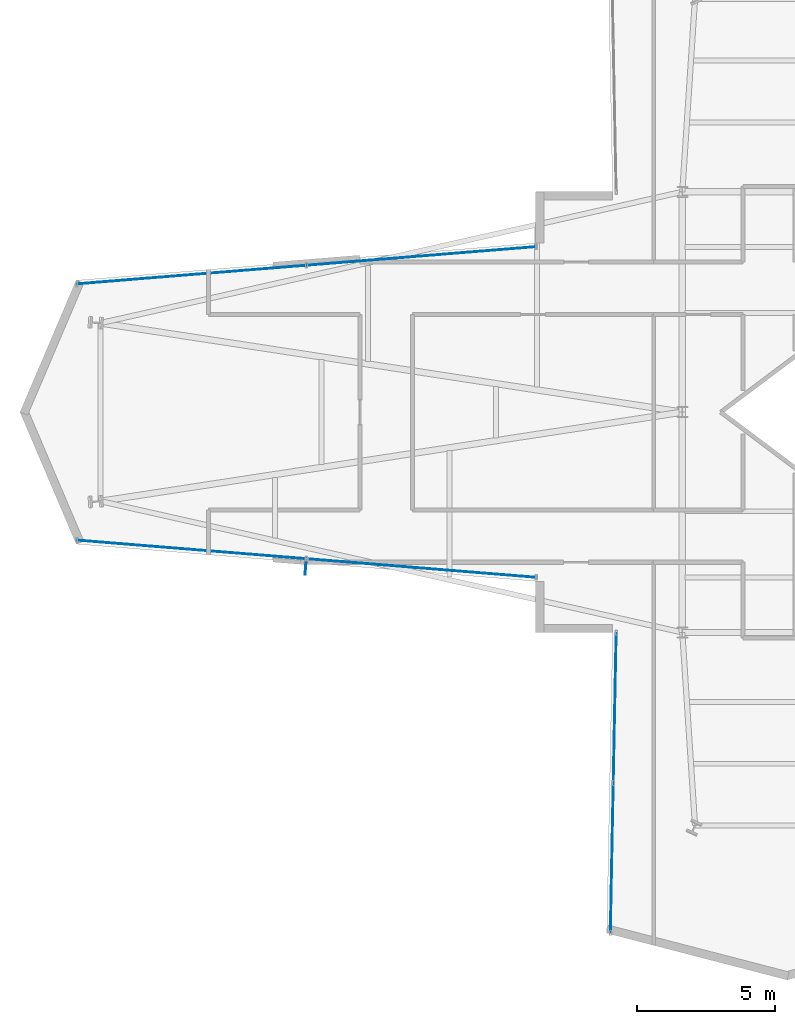
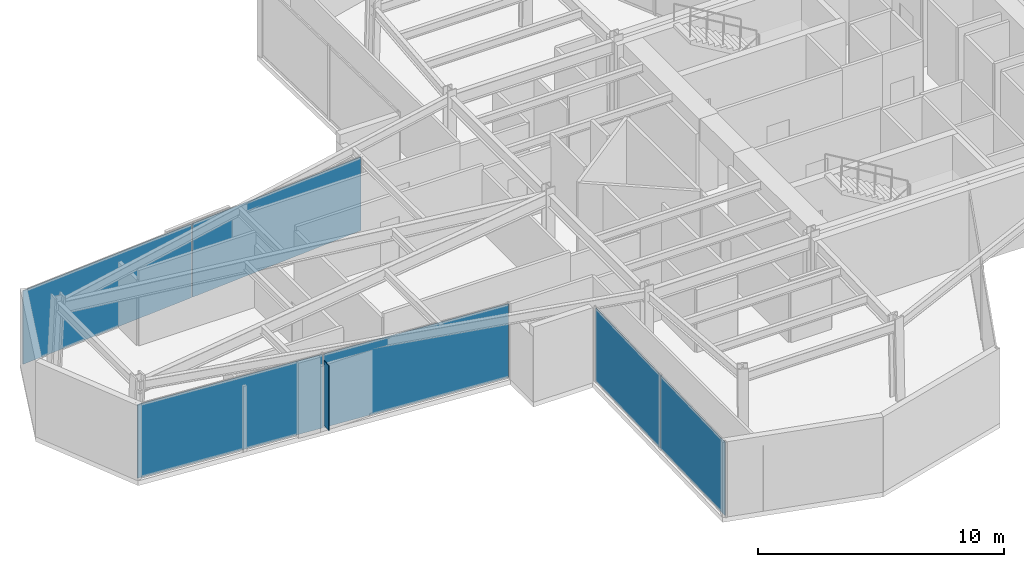
# One storey, part 19 of 25: 7 plates, 3 elements without a shape of their own.
"""IFC4 building model written with IfcOpenShell, lengths in metres."""

from ifc_helpers import new_model, si_unit, direction, frame, origin, origin_2d, place, context, subcontext, project, spatial, rectangle, extrude, material, layer, layer_set, type_object, element, aggregate, save


model = new_model("IFC4")

# Units and contexts
model_context = context("Model", 3, precision=1e-05, world=origin(), true_north=direction((0.0, 1.0)))
body_context = subcontext(model_context, "Body", "Model", "MODEL_VIEW")
ifc_project = project(units=[si_unit("LENGTHUNIT", "METRE"), si_unit("AREAUNIT", "SQUARE_METRE"), si_unit("VOLUMEUNIT", "CUBIC_METRE"), si_unit("PLANEANGLEUNIT", "RADIAN"), si_unit("MASSUNIT", "GRAM", prefix="KILO")], contexts=[model_context])

# Site, building, storey
site_placement = place(None, origin())
site = spatial("IfcSite", under=ifc_project, at=site_placement, CompositionType="ELEMENT")
building_placement = place(site_placement, origin())
building = spatial("IfcBuilding", under=site, at=building_placement, Name="Veymaron Broadcast Tower", CompositionType="ELEMENT")
storey_placement = place(building_placement, frame((0.0, 0.0, 102.60009765625)))
storey = spatial("IfcBuildingStorey", under=building, at=storey_placement, Name="L23", CompositionType="ELEMENT", Elevation=102.60009765625)

# Curtain wall, plates
ifc_material_1 = material(Name="Anodised aluminium AA 6063-T6 and laminated low-E dark glass", Category="aluminium")
ifc_layer_1 = layer(ifc_material_1, 0.179931640625)
ifc_layer_set_1 = layer_set([ifc_layer_1], Name="Anodised aluminium AA 6063-T6 and laminated low-E dark glass")
curtain_wall_type = type_object("IfcCurtainWallType", Name="CW-SYS-02", PredefinedType="NOTDEFINED", material=ifc_layer_set_1)
curtain_wall_1_placement = place(storey_placement, origin())
curtain_wall_1 = element("IfcCurtainWall", 1, at=curtain_wall_1_placement, inside=storey, type_object=curtain_wall_type, Name="L23 dark-glass curtain wall CW-L23-E11-1", PredefinedType="NOTDEFINED")
ifc_material_2 = material(Name="Double-silver solar-control dark glass IGU 32 mm", Category="glass")
ifc_layer_2 = layer(ifc_material_2, 0.031982421875)
ifc_layer_set_2 = layer_set([ifc_layer_2], Name="Double-silver solar-control dark glass IGU 32 mm")
plate_type_1 = type_object("IfcPlateType", Name="CW-PNL-02", PredefinedType="CURTAIN_PANEL", material=ifc_layer_set_2)
plate_1_placement = place(storey_placement, frame((21.72119140625, 29.665283203125, 0.0400390625), z_axis=(0.0, 0.0, 1.0), x_axis=(-0.996735340767, -0.080738221838, 0.0)))
plate_1 = element("IfcPlate", 2, at=plate_1_placement, type_object=plate_type_1, Name="CW-L23-E11-1 unitised curtain panel 0", PredefinedType="CURTAIN_PANEL", context=body_context, shape_type="SweptSolid", body=[
    extrude(rectangle(XDim=8.307373046875, YDim=0.031982421875, at=origin_2d()), origin(), (0.0, 0.0, 1.0), 3.64990234375),
])
plate_2_placement = place(storey_placement, frame((13.38134765625, 28.98974609375, 0.0400390625), z_axis=(0.0, 0.0, 1.0), x_axis=(-0.996735340767, -0.080738221838, 0.0)))
plate_2 = element("IfcPlate", 3, at=plate_2_placement, type_object=plate_type_1, Name="CW-L23-E11-1 unitised curtain panel 1", PredefinedType="CURTAIN_PANEL", context=body_context, shape_type="SweptSolid", body=[
    extrude(rectangle(XDim=8.307373046875, YDim=0.031982421875, at=origin_2d()), origin(), (0.0, 0.0, 1.0), 3.64990234375),
])
aggregate(curtain_wall_1, [plate_1, plate_2])

curtain_wall_2_placement = place(storey_placement, origin())
curtain_wall_2 = element("IfcCurtainWall", 4, at=curtain_wall_2_placement, inside=storey, type_object=curtain_wall_type, Name="L23 dark-glass curtain wall CW-L23-E14-1", PredefinedType="NOTDEFINED")
plate_3_placement = place(storey_placement, frame((13.38134765625, 19.01025390625, 0.0400390625), z_axis=(0.0, 0.0, 1.0), x_axis=(0.996735340767, -0.080738221838, 0.0)))
plate_3 = element("IfcPlate", 5, at=plate_3_placement, type_object=plate_type_1, Name="CW-L23-E14-1 unitised curtain panel 0", PredefinedType="CURTAIN_PANEL", context=body_context, shape_type="SweptSolid", body=[
    extrude(rectangle(XDim=8.307373046875, YDim=0.031982421875, at=origin_2d()), origin(), (0.0, 0.0, 1.0), 3.64990234375),
])
plate_4_placement = place(storey_placement, frame((21.72119140625, 18.334716796875, 0.0400390625), z_axis=(0.0, 0.0, 1.0), x_axis=(0.996735340767, -0.080738221838, 0.0)))
plate_4 = element("IfcPlate", 6, at=plate_4_placement, type_object=plate_type_1, Name="CW-L23-E14-1 unitised curtain panel 1", PredefinedType="CURTAIN_PANEL", context=body_context, shape_type="SweptSolid", body=[
    extrude(rectangle(XDim=8.307373046875, YDim=0.031982421875, at=origin_2d()), origin(), (0.0, 0.0, 1.0), 3.64990234375),
])
aggregate(curtain_wall_2, [plate_3, plate_4])

curtain_wall_3_placement = place(storey_placement, origin())
curtain_wall_3 = element("IfcCurtainWall", 7, at=curtain_wall_3_placement, inside=storey, type_object=curtain_wall_type, Name="L23 dark-glass curtain wall CW-L23-E17-1", PredefinedType="NOTDEFINED")
plate_5_placement = place(storey_placement, frame((28.751708984375, 13.269775390625, 0.0400390625), z_axis=(0.0, 0.0, 1.0), x_axis=(-0.019354492847, -0.99981268426, 0.0)))
plate_5 = element("IfcPlate", 8, at=plate_5_placement, type_object=plate_type_1, Name="CW-L23-E17-1 unitised curtain panel 0", PredefinedType="CURTAIN_PANEL", context=body_context, shape_type="SweptSolid", body=[
    extrude(rectangle(XDim=5.39599609375, YDim=0.031982421875, at=origin_2d()), origin(), (0.0, 0.0, 1.0), 3.64990234375),
])
plate_6_placement = place(storey_placement, frame((28.64599609375, 7.814697265625, 0.0400390625), z_axis=(0.0, 0.0, 1.0), x_axis=(-0.019354492847, -0.99981268426, 0.0)))
plate_6 = element("IfcPlate", 9, at=plate_6_placement, type_object=plate_type_1, Name="CW-L23-E17-1 unitised curtain panel 1", PredefinedType="CURTAIN_PANEL", context=body_context, shape_type="SweptSolid", body=[
    extrude(rectangle(XDim=5.39599609375, YDim=0.031982421875, at=origin_2d()), origin(), (0.0, 0.0, 1.0), 3.64990234375),
])
aggregate(curtain_wall_3, [plate_5, plate_6])

# Plate
ifc_material_3 = material(Name="Dark-anodised aluminium AA 6061-T6", Category="aluminium")
ifc_layer_3 = layer(ifc_material_3, 0.034912109375)
ifc_layer_set_3 = layer_set([ifc_layer_3], Name="Dark-anodised aluminium AA 6061-T6")
plate_type_2 = type_object("IfcPlateType", Name="FIN-CHEV-01", PredefinedType="USERDEFINED", material=ifc_layer_set_3)
plate_7_placement = place(storey_placement, frame((17.522705078125, 18.31884765625, 0.26123046875), z_axis=(0.0, 0.0, 1.0), x_axis=(-0.080738221838, -0.996735340767, 0.0)))
element("IfcPlate", 10, at=plate_7_placement, inside=storey, type_object=plate_type_2, Name="CW-L23-E14-1 chevron fin 1", ObjectType="FIN", PredefinedType="USERDEFINED", context=body_context, shape_type="SweptSolid", body=[
    extrude(rectangle(XDim=0.449951171875, YDim=0.034912109375, at=origin_2d()), origin(), (0.0, 0.0, 1.0), 3.207763671875),
])

save(model, "model.ifc")
